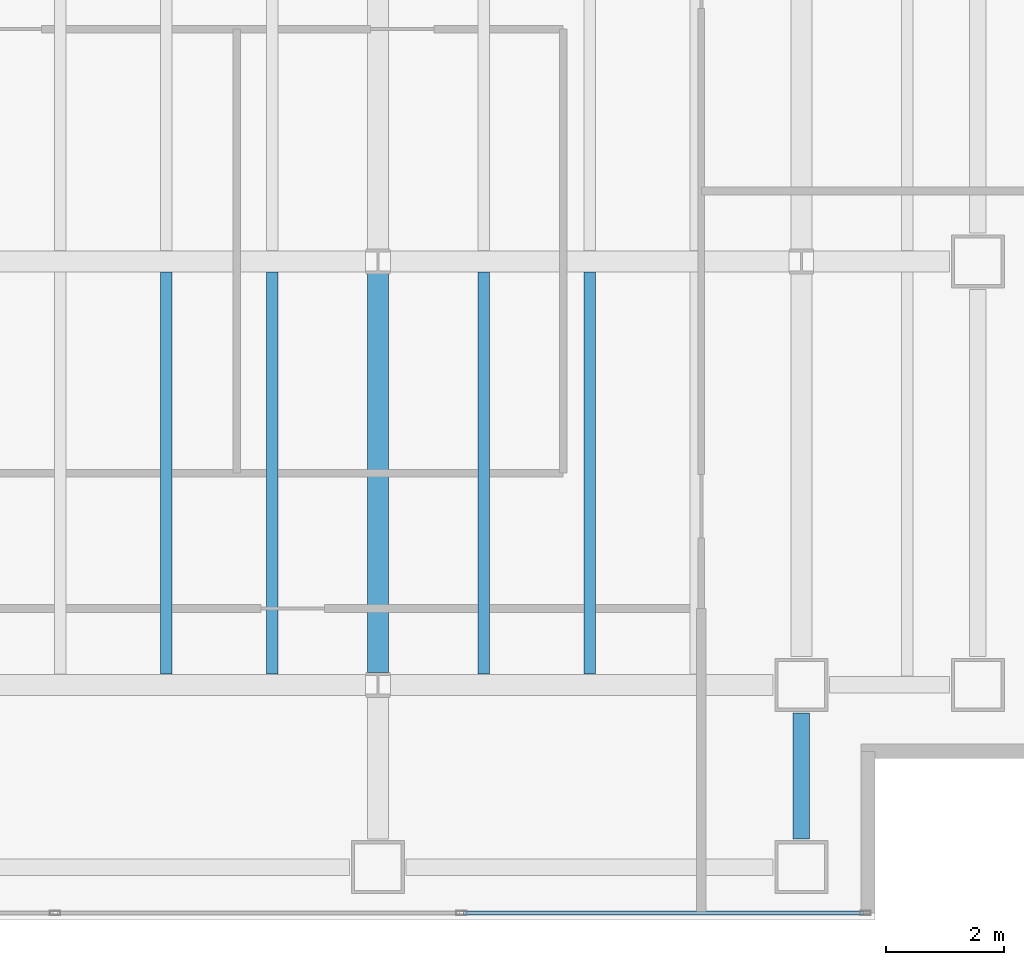
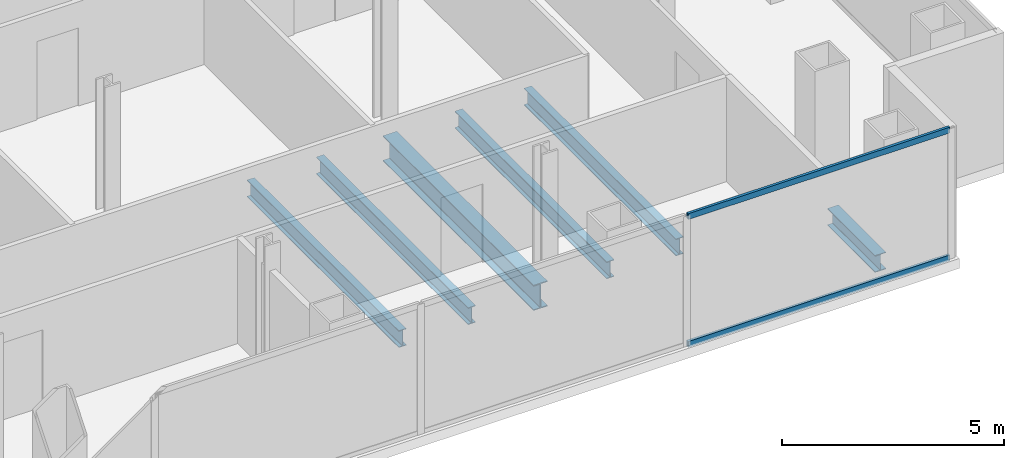
# One storey, part 10 of 23: 6 beams, 2 members, 1 element without a shape of its own.
"""IFC4 building model written with IfcOpenShell, lengths in metres."""

import ifcopenshell
import ifcopenshell.guid

model = None  # the IFC model being written
_history = None  # IfcOwnerHistory: only IFC2X3 demands one
_inside = {}  # id of a spatial element -> (the spatial element, [elements in it])
_under = {}  # id of a project, library or spatial element -> (it, [spatial elements below it])
_declared = {}  # id of a project -> (the project, [libraries it declares])
_typed = {}  # id of a type object -> (the type object, [elements of that type])
_made_of = {}  # id of a material, layer set ... -> (it, [elements and type objects made of it])


def new_model(schema):
    """Start an empty IFC model of exactly this schema.

    Asked for "IFC4X3", IfcOpenShell would pick the latest addendum, in which some entities
    have other attributes; the version numbers below select the first issue.
    IFC2X3 requires an IfcOwnerHistory on every rooted entity: one is made here for all.
    """
    global model, _history
    if schema == "IFC4X3":
        model = ifcopenshell.file(schema_version=(4, 3, 0, 0))
    else:
        model = ifcopenshell.file(schema=schema)
    _inside.clear()
    _under.clear()
    _declared.clear()
    _typed.clear()
    _made_of.clear()
    _history = None
    if model.schema == "IFC2X3":
        org = make("IfcOrganization", Name="unknown")
        user = make(
            "IfcPersonAndOrganization",
            ThePerson=make("IfcPerson", FamilyName="unknown"),
            TheOrganization=org,
        )
        app = make(
            "IfcApplication",
            ApplicationDeveloper=org,
            Version="unknown",
            ApplicationFullName="unknown",
            ApplicationIdentifier="unknown",
        )
        _history = make(
            "IfcOwnerHistory",
            OwningUser=user,
            OwningApplication=app,
            ChangeAction="ADDED",
            CreationDate=0,
        )
    return model


def make(cls, **values):
    """One entity of the class cls with the attributes given. An attribute that is None is left unset."""
    return model.create_entity(
        cls, **{name: value for name, value in values.items() if value is not None}
    )


def rooted(cls, **values):
    """An entity with a GlobalId (a new one), such as an element, a storey or a relation."""
    return make(cls, GlobalId=ifcopenshell.guid.new(), OwnerHistory=_history, **values)


def si_unit(unit_type, name, prefix=None):
    """IfcSIUnit, for example si_unit("LENGTHUNIT", "METRE", prefix="MILLI")."""
    return make("IfcSIUnit", UnitType=unit_type, Prefix=prefix, Name=name)


def assignment(units):
    """IfcUnitAssignment: the units of a project."""
    return None if units is None else make("IfcUnitAssignment", Units=units)


def point(xyz):
    """IfcCartesianPoint."""
    return None if xyz is None else make("IfcCartesianPoint", Coordinates=xyz)


def direction(xyz):
    """IfcDirection."""
    return None if xyz is None else make("IfcDirection", DirectionRatios=xyz)


def frame(location, z_axis=None, x_axis=None):
    """IfcAxis2Placement3D, a coordinate frame: its origin and axes. An axis left out is left unset."""
    return make(
        "IfcAxis2Placement3D",
        Location=point(location),
        Axis=direction(z_axis),
        RefDirection=direction(x_axis),
    )


def frame_2d(location, x_axis=None):
    """IfcAxis2Placement2D, a coordinate frame in the plane: its origin and x axis."""
    return make(
        "IfcAxis2Placement2D", Location=point(location), RefDirection=direction(x_axis)
    )


def origin():
    """The frame at (0, 0, 0) with its axes left unset."""
    return frame((0.0, 0.0, 0.0))


def origin_2d():
    """The frame at (0, 0) in the plane with its x axis left unset."""
    return frame_2d((0.0, 0.0))


def place(relative_to, where):
    """IfcLocalPlacement: puts the frame where relative to a parent placement (None: the world)."""
    return make(
        "IfcLocalPlacement", PlacementRelTo=relative_to, RelativePlacement=where
    )


def context(
    kind, dimensions, precision=None, world=None, true_north=None, identifier=None
):
    """IfcGeometricRepresentationContext, for example the 3D "Model" context."""
    return make(
        "IfcGeometricRepresentationContext",
        ContextIdentifier=identifier,
        ContextType=kind,
        CoordinateSpaceDimension=dimensions,
        Precision=precision,
        WorldCoordinateSystem=world,
        TrueNorth=true_north,
    )


def subcontext(parent, identifier, kind, view, scale=None):
    """IfcGeometricRepresentationSubContext, for example "Body" below "Model"."""
    return make(
        "IfcGeometricRepresentationSubContext",
        ContextIdentifier=identifier,
        ContextType=kind,
        ParentContext=parent,
        TargetScale=scale,
        TargetView=view,
    )


def project(units=None, contexts=None):
    """IfcProject with its units and contexts."""
    return rooted(
        "IfcProject",
        Name="project",
        RepresentationContexts=contexts,
        UnitsInContext=assignment(units),
    )


def spatial(cls, under=None, at=None, **own):
    """A site, building, storey or space (cls), placed at a placement, below another one or the project."""
    s = rooted(cls, ObjectPlacement=at, **own)
    if under is not None:
        _under.setdefault(under.id(), (under, []))[1].append(s)
    return s


def profile(cls, at=None, kind="AREA", **sizes):
    """A parametric profile (cls). Its sizes go by their IFC names, for example OverallWidth=200.0."""
    return make(cls, ProfileType=kind, Position=at, **sizes)


def hollow_rectangle(**sizes):
    """IfcRectangleHollowProfileDef."""
    return profile("IfcRectangleHollowProfileDef", **sizes)


def i_section(**sizes):
    """IfcIShapeProfileDef."""
    return profile("IfcIShapeProfileDef", **sizes)


def extrude(swept, where, along, depth):
    """IfcExtrudedAreaSolid: the profile swept, set in the frame where, extruded along a direction by depth."""
    return make(
        "IfcExtrudedAreaSolid",
        SweptArea=swept,
        Position=where,
        ExtrudedDirection=direction(along),
        Depth=depth,
    )


def shape(context_of_items, identifier, shape_type, items):
    """IfcShapeRepresentation: the items that make up one representation, for example the "Body"."""
    return make(
        "IfcShapeRepresentation",
        ContextOfItems=context_of_items,
        RepresentationIdentifier=identifier,
        RepresentationType=shape_type,
        Items=items,
    )


def material(Name=None, Category=None):
    """IfcMaterial."""
    return make("IfcMaterial", Name=Name, Category=Category)


def material_profile(
    of_material, cross_section, Name=None, Category=None, Priority=None
):
    """IfcMaterialProfile: a cross section and its material."""
    return make(
        "IfcMaterialProfile",
        Name=Name,
        Material=of_material,
        Profile=cross_section,
        Priority=Priority,
        Category=Category,
    )


def profile_set(profiles, Name=None, composite=None):
    """IfcMaterialProfileSet."""
    return make(
        "IfcMaterialProfileSet",
        Name=Name,
        MaterialProfiles=profiles,
        CompositeProfile=composite,
    )


def made_of(thing, what):
    """Note that an element or type object is made of a material, layer set ...; save() writes the relation."""
    if what is not None:
        _made_of.setdefault(what.id(), (what, []))[1].append(thing)
    return thing


def type_object(cls, material=None, **own):
    """A type object (cls), such as IfcWallType, which elements share."""
    return made_of(rooted(cls, **own), material)


def element(
    cls,
    number,
    at=None,
    inside=None,
    cuts=None,
    type_object=None,
    material=None,
    context=None,
    identifier="Body",
    shape_type=None,
    held_by="IfcProductDefinitionShape",
    body=None,
    shapes=None,
    **own,
):
    """One element of the class cls, such as IfcWall. Its Tag is "e" and its number.

    at: its placement. inside: the storey or other place that contains it. cuts: it is an
    opening in that element (IfcRelVoidsElement). A single representation is given by context,
    identifier, shape_type and body (its items); several are given by shapes. held_by: the class
    of the entity that holds the representations. save() writes the other relations.
    """
    e = rooted(cls, Tag="e%d" % number, ObjectPlacement=at, **own)
    if body is not None:
        shapes = [shape(context, identifier, shape_type, body)]
    if shapes is not None:
        e.Representation = make(held_by, Representations=shapes)
    if inside is not None:
        _inside.setdefault(inside.id(), (inside, []))[1].append(e)
    if cuts is not None:
        rooted(
            "IfcRelVoidsElement", RelatingBuildingElement=cuts, RelatedOpeningElement=e
        )
    if type_object is not None:
        _typed.setdefault(type_object.id(), (type_object, []))[1].append(e)
    return made_of(e, material)


def aggregate(whole, parts):
    """IfcRelAggregates: a whole, such as a stair, and the parts it consists of."""
    return rooted("IfcRelAggregates", RelatingObject=whole, RelatedObjects=parts)


def save(model, path):
    """Write the relations noted so far, then the file.

    IfcRelAggregates (storeys below a building ...), IfcRelContainedInSpatialStructure (elements
    in a storey), IfcRelDefinesByType, IfcRelAssociatesMaterial and IfcRelDeclares: one each for
    every whole, place, type object, material and project.
    """
    for whole, parts in _under.values():
        aggregate(whole, parts)
    for where, things in _inside.values():
        rooted(
            "IfcRelContainedInSpatialStructure",
            RelatedElements=things,
            RelatingStructure=where,
        )
    for kind, things in _typed.values():
        rooted("IfcRelDefinesByType", RelatedObjects=things, RelatingType=kind)
    for what, things in _made_of.values():
        rooted("IfcRelAssociatesMaterial", RelatedObjects=things, RelatingMaterial=what)
    for by, libraries in _declared.values():
        rooted("IfcRelDeclares", RelatingContext=by, RelatedDefinitions=libraries)
    model.write(path)


model = new_model("IFC4")

# Units and contexts
model_context = context("Model", 3, precision=1e-05, world=origin(), true_north=direction((0.0, 1.0)))
body_context = subcontext(model_context, "Body", "Model", "MODEL_VIEW")
ifc_project = project(units=[si_unit("LENGTHUNIT", "METRE"), si_unit("AREAUNIT", "SQUARE_METRE"), si_unit("VOLUMEUNIT", "CUBIC_METRE"), si_unit("PLANEANGLEUNIT", "RADIAN"), si_unit("MASSUNIT", "GRAM", prefix="KILO")], contexts=[model_context])

# Site, building, storey
site_placement = place(None, origin())
site = spatial("IfcSite", under=ifc_project, at=site_placement, CompositionType="ELEMENT")
building_placement = place(site_placement, origin())
building = spatial("IfcBuilding", under=site, at=building_placement, Name="Cobrela Telecom Tower", CompositionType="ELEMENT")
storey_placement = place(building_placement, frame((0.0, 0.0, 117.60009765625)))
storey = spatial("IfcBuildingStorey", under=building, at=storey_placement, Name="L29", CompositionType="ELEMENT", Elevation=117.60009765625)

# Beams
ifc_material_1 = material(Name="Steel ASTM A992 Grade 50", Category="steel")
ifc_material_profile_1 = material_profile(ifc_material_1, i_section(OverallWidth=0.35595703125, OverallDepth=0.696044921875, WebThickness=0.015380859375, FlangeThickness=0.024658203125, FilletRadius=0.01806640625, at=origin_2d()), Name="W27X146")
ifc_profile_set_1 = profile_set([ifc_material_profile_1], Name="Steel ASTM A992 Grade 50")
beam_type_1 = type_object("IfcBeamType", Name="BM-GIRD-05", PredefinedType="USERDEFINED", material=ifc_profile_set_1)
beam_1_placement = place(storey_placement, frame((36.0, 7.409423828125, -0.6181640625), z_axis=(0.0, 1.0, 0.0), x_axis=(-1.0, 0.0, 0.0)))
element("IfcBeam", 1, at=beam_1_placement, inside=storey, type_object=beam_type_1, Name="L29 Primary Girder Y50", ObjectType="GIRDER", PredefinedType="USERDEFINED", context=body_context, shape_type="SweptSolid", body=[
    extrude(i_section(OverallWidth=0.35595703125, OverallDepth=0.696044921875, WebThickness=0.015380859375, FlangeThickness=0.024658203125, FilletRadius=0.01806640625, at=origin_2d()), origin(), (0.0, 0.0, 1.0), 6.781005859375),
])
ifc_material_profile_2 = material_profile(ifc_material_1, i_section(OverallWidth=0.193115234375, OverallDepth=0.467041015625, WebThickness=0.011474609375, FlangeThickness=0.01904296875, FilletRadius=0.012939453125, at=origin_2d()), Name="W18X65")
ifc_profile_set_2 = profile_set([ifc_material_profile_2], Name="Steel ASTM A992 Grade 50")
beam_type_2 = type_object("IfcBeamType", Name="BM-JOIST-03", PredefinedType="JOIST", material=ifc_profile_set_2)
for number, where, z_axis, x_axis, name in (
    (2, (32.39990234375, 7.383056640625, -0.503662109375), (0.0, 1.0, 0.0), (-1.0, 0.0, 0.0), "L29 Secondary Composite Floor Beam J29"),
    (3, (34.199951171875, 7.383056640625, -0.503662109375), (0.0, 1.0, 0.0), (-1.0, 0.0, 0.0), "L29 Secondary Composite Floor Beam J31"),
    (4, (37.800048828125, 7.383056640625, -0.503662109375), (0.0, 1.0, 0.0), (-1.0, 0.0, 0.0), "L29 Secondary Composite Floor Beam J33"),
    (5, (39.60009765625, 7.383056640625, -0.503662109375), (0.0, 1.0, 0.0), (-1.0, 0.0, 0.0), "L29 Secondary Composite Floor Beam J35"),
):
    element("IfcBeam", number, at=place(storey_placement, frame(where, z_axis=z_axis, x_axis=x_axis)), inside=storey, type_object=beam_type_2, Name=name, PredefinedType="JOIST", context=body_context, shape_type="SweptSolid", body=[
        extrude(i_section(OverallWidth=0.193115234375, OverallDepth=0.467041015625, WebThickness=0.011474609375, FlangeThickness=0.01904296875, FilletRadius=0.012939453125, at=origin_2d()), origin(), (0.0, 0.0, 1.0), 6.833984375),
    ])
ifc_material_profile_3 = material_profile(ifc_material_1, i_section(OverallWidth=0.281982421875, OverallDepth=0.467041015625, WebThickness=0.01220703125, FlangeThickness=0.01953125, FilletRadius=0.012939453125, at=origin_2d()), Name="W18X86")
ifc_profile_set_3 = profile_set([ifc_material_profile_3], Name="Steel ASTM A992 Grade 50")
beam_type_3 = type_object("IfcBeamType", Name="BM-SPAND-04", PredefinedType="SPANDREL", material=ifc_profile_set_3)
beam_2_placement = place(storey_placement, frame((43.199951171875, 4.580078125, -0.503662109375), z_axis=(0.0, 1.0, 0.0), x_axis=(-1.0, 0.0, 0.0)))
element("IfcBeam", 6, at=beam_2_placement, inside=storey, type_object=beam_type_3, Name="L29 Perimeter Spandrel Y52", PredefinedType="SPANDREL", context=body_context, shape_type="SweptSolid", body=[
    extrude(i_section(OverallWidth=0.281982421875, OverallDepth=0.467041015625, WebThickness=0.01220703125, FlangeThickness=0.01953125, FilletRadius=0.012939453125, at=origin_2d()), origin(), (0.0, 0.0, 1.0), 2.139892578125),
])

# Curtain wall, members
ifc_material_2 = material(Name="Anodized Bronze Aluminium 6063-T6", Category="aluminium")
curtain_wall_type = type_object("IfcCurtainWallType", Name="CW-SYS-TEL", PredefinedType="USERDEFINED", material=ifc_material_2)
curtain_wall_placement = place(storey_placement, origin())
curtain_wall = element("IfcCurtainWall", 7, at=curtain_wall_placement, inside=storey, type_object=curtain_wall_type, Name="L29 Unitised Bronze Curtain Wall 17", ObjectType="UNITISED CURTAIN WALL", PredefinedType="USERDEFINED")
ifc_material_profile_4 = material_profile(ifc_material_2, hollow_rectangle(XDim=0.070068359375, YDim=0.159912109375, WallThickness=0.00390625, at=origin_2d()), Name="ALU 70x160x4")
ifc_profile_set_4 = profile_set([ifc_material_profile_4], Name="Anodized Bronze Aluminium 6063-T6")
member_type = type_object("IfcMemberType", Name="CW-SYS-TEL-TRN", PredefinedType="USERDEFINED", material=ifc_profile_set_4)
member_1_placement = place(storey_placement, frame((44.2548828125, 3.320068359375, 0.034912109375), z_axis=(-1.0, 0.0, 0.0), x_axis=(0.0, -1.0, 0.0)))
member_1 = element("IfcMember", 8, at=member_1_placement, type_object=member_type, Name="CW-TEL transom 1.1", ObjectType="TRANSOM", PredefinedType="USERDEFINED", context=body_context, shape_type="SweptSolid", body=[
    extrude(hollow_rectangle(XDim=0.070068359375, YDim=0.159912109375, WallThickness=0.00390625, at=origin_2d()), origin(), (0.0, 0.0, 1.0), 6.79736328125),
])
member_2_placement = place(storey_placement, frame((44.2548828125, 3.320068359375, 3.544921875), z_axis=(-1.0, 0.0, 0.0), x_axis=(0.0, -1.0, 0.0)))
member_2 = element("IfcMember", 9, at=member_2_placement, type_object=member_type, Name="CW-TEL transom 1.2", ObjectType="TRANSOM", PredefinedType="USERDEFINED", context=body_context, shape_type="SweptSolid", body=[
    extrude(hollow_rectangle(XDim=0.070068359375, YDim=0.159912109375, WallThickness=0.00390625, at=origin_2d()), origin(), (0.0, 0.0, 1.0), 6.79736328125),
])
aggregate(curtain_wall, [member_1, member_2])

save(model, "model.ifc")
